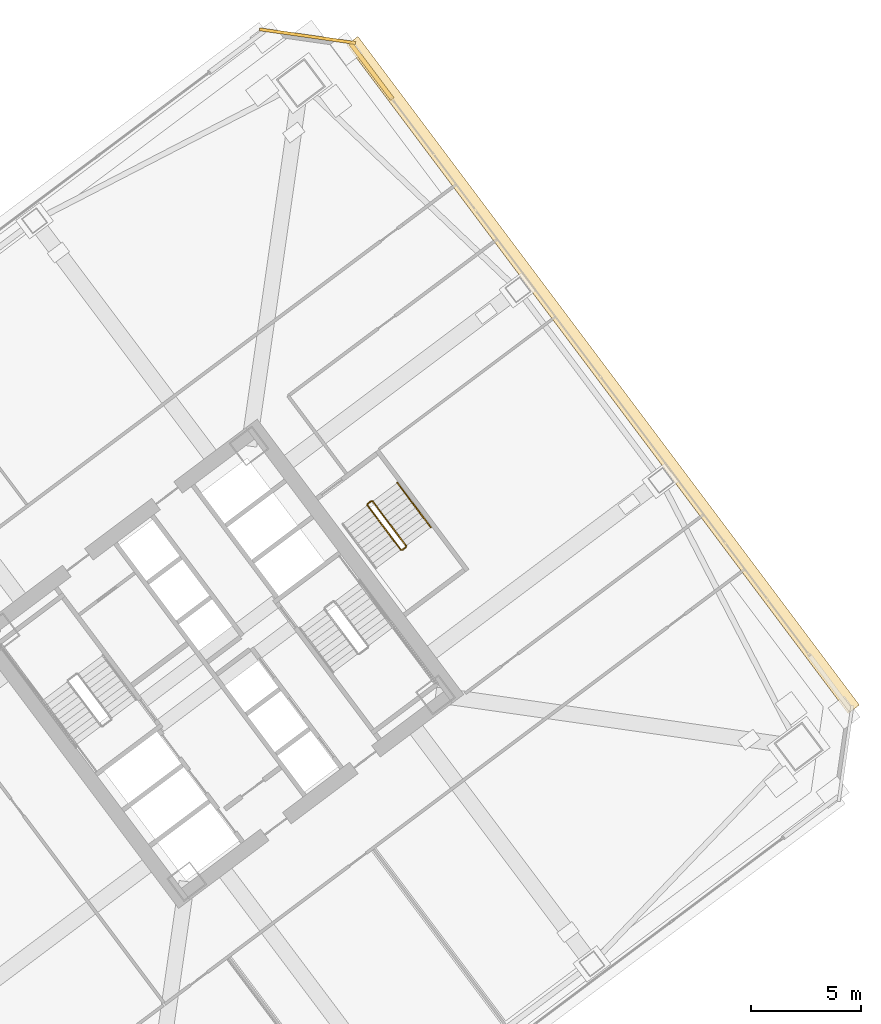
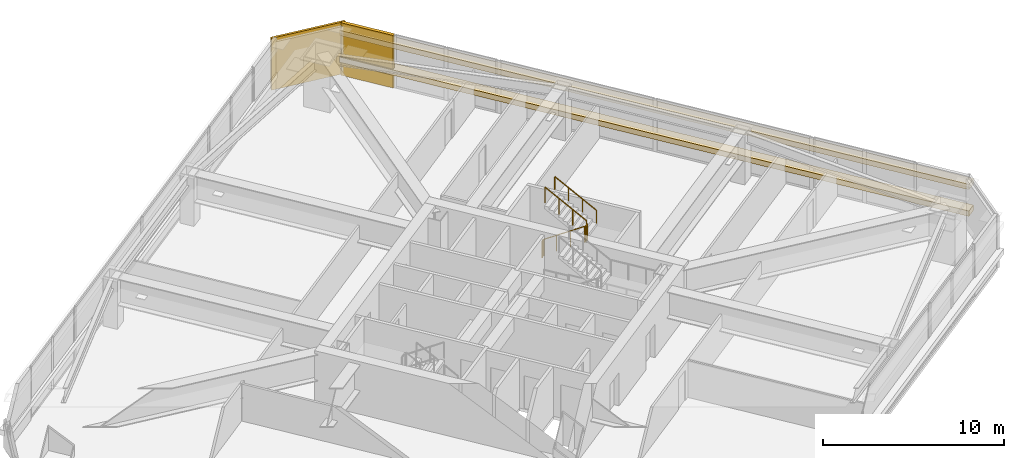
# One storey, part 48 of 48: 5 railings, 4 coverings.
"""IFC4 building model written with IfcOpenShell, lengths in metres."""

from ifc_helpers import new_model, si_unit, direction, frame, origin, origin_2d, place, context, subcontext, project, spatial, rectangle, extrude, material, layer, layer_set, type_object, element, save


model = new_model("IFC4")

# Units and contexts
model_context = context("Model", 3, precision=1e-05, world=origin(), true_north=direction((0.0, 1.0)))
body_context = subcontext(model_context, "Body", "Model", "MODEL_VIEW")
ifc_project = project(units=[si_unit("LENGTHUNIT", "METRE"), si_unit("AREAUNIT", "SQUARE_METRE"), si_unit("VOLUMEUNIT", "CUBIC_METRE"), si_unit("PLANEANGLEUNIT", "RADIAN"), si_unit("MASSUNIT", "GRAM", prefix="KILO")], contexts=[model_context])

# Site, building, storey
site_placement = place(None, origin())
site = spatial("IfcSite", under=ifc_project, at=site_placement, CompositionType="ELEMENT")
building_placement = place(site_placement, origin())
building = spatial("IfcBuilding", under=site, at=building_placement, Name="Tashvorn Skyway Center", CompositionType="ELEMENT")
storey_placement = place(building_placement, frame((0.0, 0.0, 63.64990234375)))
storey = spatial("IfcBuildingStorey", under=building, at=storey_placement, Name="L16", CompositionType="ELEMENT", Elevation=63.64990234375)

# Coverings
ifc_material_1 = material(Name="Precast concrete C40/50", Category="concrete")
ifc_layer_1 = layer(ifc_material_1, 0.199951171875)
ifc_layer_set_1 = layer_set([ifc_layer_1], Name="Precast concrete C40/50")
covering_type_1 = type_object("IfcCoveringType", Name="COV-BRACE-CLAD", PredefinedType="CLADDING", material=ifc_layer_set_1)
covering_1_placement = place(storey_placement, frame((120.9599609375, 58.853271484375, 0.0), z_axis=(0.0, 0.0, 1.0), x_axis=(0.600000004945, -0.799999996291, 0.0)))
element("IfcCovering", 1, at=covering_1_placement, inside=storey, type_object=covering_type_1, Name="Tower 2 L16 East Unitised Curtain Wall Mega-Brace Cladding Band 1", PredefinedType="CLADDING", context=body_context, shape_type="SweptSolid", body=[
    extrude(rectangle(XDim=3.146728515625, YDim=0.199951171875, at=origin_2d()), origin(), (0.0, 0.0, 1.0), 3.550048828125),
])
ifc_material_2 = material(Name="Perforated ceramic-coated bronze aluminium solar screen", Category="aluminium")
ifc_layer_2 = layer(ifc_material_2, 0.85009765625)
ifc_layer_set_2 = layer_set([ifc_layer_2], Name="Perforated ceramic-coated bronze aluminium solar screen")
covering_type_2 = type_object("IfcCoveringType", Name="COV-SOLAR-BAND", PredefinedType="CLADDING", material=ifc_layer_set_2)
for number, where, z_axis, x_axis, name in (
    (2, (131.4560546875, 45.092041015625, 0.919921875), (0.0, 0.0, 1.0), (0.600000004945, -0.799999996291, 0.0), "L16 Perforated Ceramic-Metal Solar Screen Louvre Band East 1"),
    (3, (131.4560546875, 45.092041015625, 2.72021484375), (0.0, 0.0, 1.0), (0.600000004945, -0.799999996291, 0.0), "L16 Perforated Ceramic-Metal Solar Screen Louvre Band East 2"),
):
    element("IfcCovering", number, at=place(storey_placement, frame(where, z_axis=z_axis, x_axis=x_axis)), inside=storey, type_object=covering_type_2, Name=name, PredefinedType="CLADDING", context=body_context, shape_type="SweptSolid", body=[
        extrude(rectangle(XDim=37.8798828125, YDim=0.639892578125, at=origin_2d()), origin(), (0.0, 0.0, 1.0), 0.360107421875),
    ])
ifc_layer_3 = layer(ifc_material_1, 0.35009765625)
ifc_layer_set_3 = layer_set([ifc_layer_3], Name="Precast concrete C40/50")
covering_type_3 = type_object("IfcCoveringType", Name="COV-STONE-TRIM", PredefinedType="CLADDING", material=ifc_layer_set_3)
covering_2_placement = place(storey_placement, frame((118.06396484375, 60.447998046875, 0.02001953125), z_axis=(0.0, 0.0, 1.0), x_axis=(0.989949494535, -0.141421350118, 0.0)))
element("IfcCovering", 4, at=covering_2_placement, inside=storey, type_object=covering_type_3, Name="Tower 2 L16 NE Mojave Limestone Corner Quoin", PredefinedType="CLADDING", context=body_context, shape_type="SweptSolid", body=[
    extrude(rectangle(XDim=4.402587890625, YDim=0.139892578125, at=origin_2d()), origin(), (0.0, 0.0, 1.0), 3.510009765625),
])

# Railings
ifc_material_3 = material(Name="Brushed stainless steel 316", Category="steel")
railing_type_1 = type_object("IfcRailingType", Name="RAIL-HAND-920", PredefinedType="HANDRAIL", material=ifc_material_3)
railing_1_placement = place(storey_placement, frame((123.64794921875, 38.18603515625, 1.95263671875)))
element("IfcRailing", 5, at=railing_1_placement, inside=storey, type_object=railing_type_1, Name="L16 ST-T2-3 stair handrail 2", PredefinedType="HANDRAIL", context=body_context, shape_type="SweptSolid", body=[
    extrude(rectangle(XDim=0.048095703125, YDim=0.048095703125, at=origin_2d()), frame((0.0, 0.0, 0.8759765625), z_axis=(-0.506768818287, 0.675664481285, 0.535409071218), x_axis=(-0.79998837352, -0.60001550166, 0.0)), (0.0, 0.0, 1.0), 2.983642578125),
    extrude(rectangle(XDim=0.0419921875, YDim=0.0419921875, at=origin_2d()), origin(), (0.0, 0.0, 1.0), 0.851806640625),
    extrude(rectangle(XDim=0.0419921875, YDim=0.0419921875, at=origin_2d()), frame((-0.50390625, 0.671875, 0.532470703125)), (0.0, 0.0, 1.0), 0.851806640625),
    extrude(rectangle(XDim=0.0419921875, YDim=0.0419921875, at=origin_2d()), frame((-1.008056640625, 1.343994140625, 1.06494140625)), (0.0, 0.0, 1.0), 0.851806640625),
    extrude(rectangle(XDim=0.0419921875, YDim=0.0419921875, at=origin_2d()), frame((-1.511962890625, 2.015869140625, 1.597412109375)), (0.0, 0.0, 1.0), 0.851806640625),
])
ifc_material_4 = material(Name="Painted galvanized steel S355", Category="steel")
railing_type_2 = type_object("IfcRailingType", Name="RAIL-STGUARD-1100", PredefinedType="GUARDRAIL", material=ifc_material_4)
railing_2_placement = place(storey_placement, frame((120.77587890625, 39.181884765625, 0.177490234375)))
element("IfcRailing", 6, at=railing_2_placement, inside=storey, type_object=railing_type_2, Name="L16 ST-T2-3 stair guard 1", PredefinedType="GUARDRAIL", context=body_context, shape_type="SweptSolid", body=[
    extrude(rectangle(XDim=0.048095703125, YDim=0.048095703125, at=origin_2d()), frame((0.0, 0.0, 1.076171875), z_axis=(0.506807425148, -0.675606863004, 0.535445235739), x_axis=(0.799941867976, 0.600077501544, 0.0)), (0.0, 0.0, 1.0), 2.98388671875),
    extrude(rectangle(XDim=0.0419921875, YDim=0.0419921875, at=origin_2d()), origin(), (0.0, 0.0, 1.0), 1.052001953125),
    extrude(rectangle(XDim=0.0419921875, YDim=0.0419921875, at=origin_2d()), frame((0.504150390625, -0.671875, 0.532470703125)), (0.0, 0.0, 1.0), 1.052001953125),
    extrude(rectangle(XDim=0.0419921875, YDim=0.0419921875, at=origin_2d()), frame((1.008056640625, -1.343994140625, 1.065185546875)), (0.0, 0.0, 1.0), 1.052001953125),
    extrude(rectangle(XDim=0.0419921875, YDim=0.0419921875, at=origin_2d()), frame((1.51220703125, -2.015869140625, 1.59765625)), (0.0, 0.0, 1.0), 1.052001953125),
])
railing_3_placement = place(storey_placement, frame((122.35791015625, 37.156005859375, 1.775146484375)))
element("IfcRailing", 7, at=railing_3_placement, inside=storey, type_object=railing_type_2, Name="L16 ST-T2-3 stair guard 2", PredefinedType="GUARDRAIL", context=body_context, shape_type="SweptSolid", body=[
    extrude(rectangle(XDim=0.048095703125, YDim=0.048095703125, at=origin_2d()), frame((0.0, 0.0, 1.076171875), z_axis=(0.800585412921, 0.599218655098, 0.0), x_axis=(-0.599218655098, 0.800585412921, 0.0)), (0.0, 0.0, 1.0), 0.199951171875),
    extrude(rectangle(XDim=0.0419921875, YDim=0.0419921875, at=origin_2d()), origin(), (0.0, 0.0, 1.0), 1.052001953125),
    extrude(rectangle(XDim=0.0419921875, YDim=0.0419921875, at=origin_2d()), frame((0.16015625, 0.119873046875, 0.0)), (0.0, 0.0, 1.0), 1.052001953125),
])
railing_4_placement = place(storey_placement, frame((122.528076171875, 37.345947265625, 1.95263671875)))
element("IfcRailing", 8, at=railing_4_placement, inside=storey, type_object=railing_type_2, Name="L16 ST-T2-3 stair guard 3", PredefinedType="GUARDRAIL", context=body_context, shape_type="SweptSolid", body=[
    extrude(rectangle(XDim=0.048095703125, YDim=0.048095703125, at=origin_2d()), frame((0.0, 0.0, 1.076171875), z_axis=(-0.506740800098, 0.675708949977, 0.535379469569), x_axis=(-0.800023250257, -0.599968998406, 0.0)), (0.0, 0.0, 1.0), 2.983642578125),
    extrude(rectangle(XDim=0.0419921875, YDim=0.0419921875, at=origin_2d()), origin(), (0.0, 0.0, 1.0), 1.052001953125),
    extrude(rectangle(XDim=0.0419921875, YDim=0.0419921875, at=origin_2d()), frame((-0.50390625, 0.672119140625, 0.532470703125)), (0.0, 0.0, 1.0), 1.052001953125),
    extrude(rectangle(XDim=0.0419921875, YDim=0.0419921875, at=origin_2d()), frame((-1.008056640625, 1.343994140625, 1.06494140625)), (0.0, 0.0, 1.0), 1.052001953125),
    extrude(rectangle(XDim=0.0419921875, YDim=0.0419921875, at=origin_2d()), frame((-1.511962890625, 2.01611328125, 1.597412109375)), (0.0, 0.0, 1.0), 1.052001953125),
])
railing_5_placement = place(storey_placement, frame((120.785888671875, 39.251953125, 0.0)))
element("IfcRailing", 9, at=railing_5_placement, inside=storey, type_object=railing_type_2, Name="L16 ST-T2-3 stair guard 4", PredefinedType="GUARDRAIL", context=body_context, shape_type="SweptSolid", body=[
    extrude(rectangle(XDim=0.048095703125, YDim=0.048095703125, at=origin_2d()), frame((0.0, 0.0, 1.076171875), z_axis=(0.8, 0.6, 0.0), x_axis=(-0.6, 0.8, 0.0)), (0.0, 0.0, 1.0), 0.2001953125),
    extrude(rectangle(XDim=0.0419921875, YDim=0.0419921875, at=origin_2d()), origin(), (0.0, 0.0, 1.0), 1.052001953125),
    extrude(rectangle(XDim=0.0419921875, YDim=0.0419921875, at=origin_2d()), frame((0.16015625, 0.1201171875, 0.0)), (0.0, 0.0, 1.0), 1.052001953125),
])

save(model, "model.ifc")
